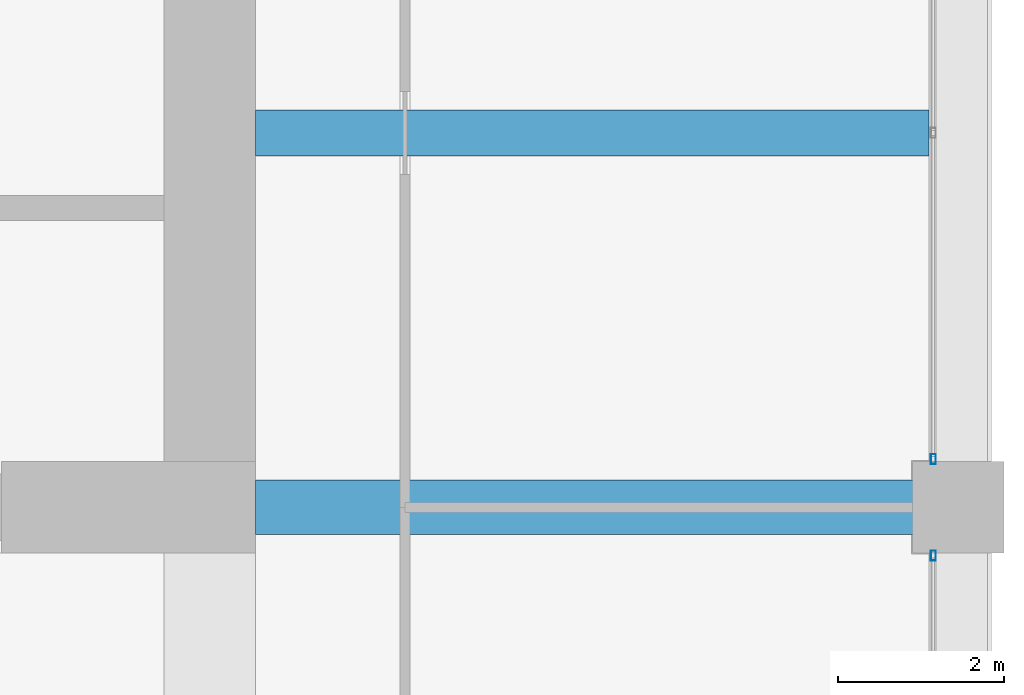
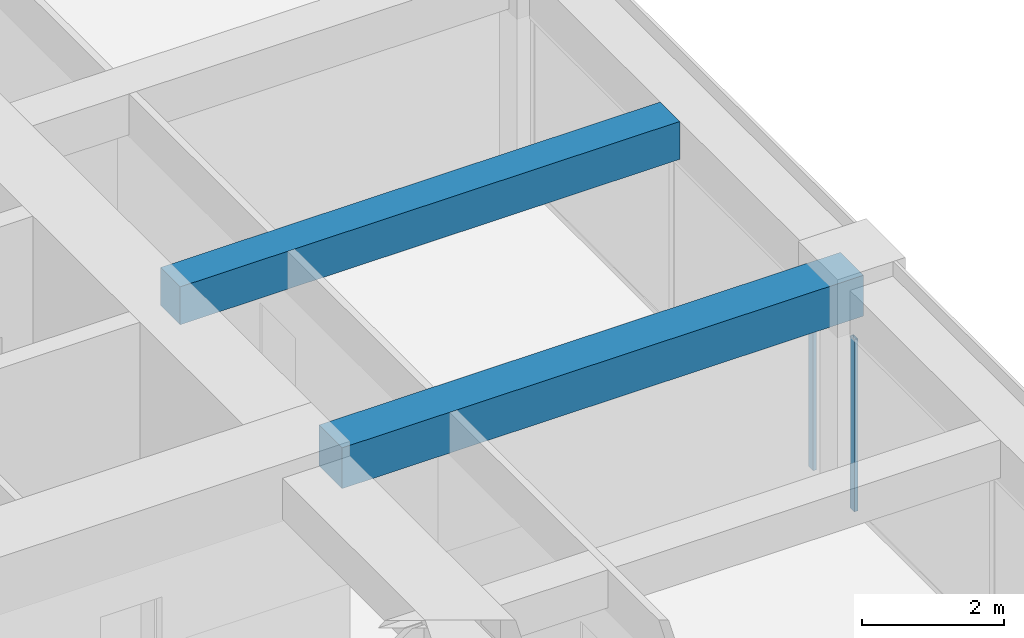
# One storey, part 24 of 44: 2 beams, 2 members, 2 elements without a shape of their own.
"""IFC4 building model written with IfcOpenShell, lengths in metres."""

from ifc_helpers import new_model, si_unit, direction, frame, origin, origin_2d, place, context, subcontext, project, spatial, rectangle, hollow_rectangle, extrude, material, material_profile, profile_set, type_object, element, aggregate, save


model = new_model("IFC4")

# Units and contexts
model_context = context("Model", 3, precision=1e-05, world=origin(), true_north=direction((0.0, 1.0)))
body_context = subcontext(model_context, "Body", "Model", "MODEL_VIEW")
ifc_project = project(units=[si_unit("LENGTHUNIT", "METRE"), si_unit("AREAUNIT", "SQUARE_METRE"), si_unit("VOLUMEUNIT", "CUBIC_METRE"), si_unit("PLANEANGLEUNIT", "RADIAN"), si_unit("MASSUNIT", "GRAM", prefix="KILO")], contexts=[model_context])

# Site, building, storey
site_placement = place(None, origin())
site = spatial("IfcSite", under=ifc_project, at=site_placement, CompositionType="ELEMENT")
building_placement = place(site_placement, origin())
building = spatial("IfcBuilding", under=site, at=building_placement, Name="Zorevar Civic Tower", CompositionType="ELEMENT")
storey_placement = place(building_placement, frame((0.0, 0.0, 275.39990234375)))
storey = spatial("IfcBuildingStorey", under=building, at=storey_placement, Name="L67", CompositionType="ELEMENT", Elevation=275.39990234375)

# Beams
ifc_material_1 = material(Name="Concrete C50/60", Category="concrete")
ifc_material_profile_1 = material_profile(ifc_material_1, rectangle(XDim=0.550048828125, YDim=0.64990234375, at=origin_2d()), Name="RC 550x650")
ifc_profile_set_1 = profile_set([ifc_material_profile_1], Name="Concrete C50/60")
beam_type_1 = type_object("IfcBeamType", Name="Beam RC 550x650", PredefinedType="BEAM", material=ifc_profile_set_1)
beam_1_placement = place(storey_placement, frame((45.550048828125, 22.5, 3.425048828125), z_axis=(1.0, 0.0, 0.0), x_axis=(0.0, 1.0, 0.0)))
element("IfcBeam", 1, at=beam_1_placement, inside=storey, type_object=beam_type_1, Name="Secondary beam L68", PredefinedType="BEAM", context=body_context, shape_type="SweptSolid", body=[
    extrude(rectangle(XDim=0.550048828125, YDim=0.64990234375, at=origin_2d()), origin(), (0.0, 0.0, 1.0), 8.099853515625),
])
ifc_material_2 = material(Name="Concrete C50/60", Category="concrete")
ifc_material_profile_2 = material_profile(ifc_material_2, rectangle(XDim=0.64990234375, YDim=0.699951171875, at=origin_2d()), Name="RC 650x700")
ifc_profile_set_2 = profile_set([ifc_material_profile_2], Name="Concrete C50/60")
beam_type_2 = type_object("IfcBeamType", Name="Beam RC 650x700", PredefinedType="BEAM", material=ifc_profile_set_2)
beam_2_placement = place(storey_placement, frame((45.550048828125, 18.0, 3.400146484375), z_axis=(1.0, 0.0, 0.0), x_axis=(0.0, 1.0, 0.0)))
element("IfcBeam", 2, at=beam_2_placement, inside=storey, type_object=beam_type_2, Name="Girder L68", PredefinedType="BEAM", context=body_context, shape_type="SweptSolid", body=[
    extrude(rectangle(XDim=0.64990234375, YDim=0.699951171875, at=origin_2d()), origin(), (0.0, 0.0, 1.0), 8.449951171875),
])

# Curtain wall, member
ifc_material_3 = material(Name="Dark grey solar-control glass in black aluminium frame", Category="aluminium")
curtain_wall_type = type_object("IfcCurtainWallType", Name="Curtain wall CW5 top zone", PredefinedType="NOTDEFINED", material=ifc_material_3)
curtain_wall_1_placement = place(storey_placement, origin())
curtain_wall_1 = element("IfcCurtainWall", 3, at=curtain_wall_1_placement, inside=storey, type_object=curtain_wall_type, Name="CW5 L67", PredefinedType="NOTDEFINED")
ifc_material_4 = material(Name="Aluminium, black anodised", Category="aluminium")
ifc_material_profile_3 = material_profile(ifc_material_4, hollow_rectangle(XDim=0.06005859375, YDim=0.1201171875, WallThickness=0.0029296875, at=origin_2d()), Name="AL 120x60x3")
ifc_profile_set_3 = profile_set([ifc_material_profile_3], Name="Aluminium, black anodised")
member_type = type_object("IfcMemberType", Name="CW5 mullion AL 120x60x3", PredefinedType="MULLION", material=ifc_profile_set_3)
member_1_placement = place(storey_placement, frame((53.699951171875, 17.419921875, 0.0), z_axis=(0.0, 0.0, 1.0), x_axis=(-1.0, 0.0, 0.0)))
member_1 = element("IfcMember", 4, at=member_1_placement, type_object=member_type, Name="CW5 mullion 3", PredefinedType="MULLION", context=body_context, shape_type="SweptSolid", body=[
    extrude(hollow_rectangle(XDim=0.06005859375, YDim=0.1201171875, WallThickness=0.0029296875, at=origin_2d()), origin(), (0.0, 0.0, 1.0), 2.9501953125),
])
aggregate(curtain_wall_1, [member_1])

curtain_wall_2_placement = place(storey_placement, origin())
curtain_wall_2 = element("IfcCurtainWall", 5, at=curtain_wall_2_placement, inside=storey, type_object=curtain_wall_type, Name="CW5 L67", PredefinedType="NOTDEFINED")
member_2_placement = place(storey_placement, frame((53.699951171875, 18.580078125, 0.0), z_axis=(0.0, 0.0, 1.0), x_axis=(-1.0, 0.0, 0.0)))
member_2 = element("IfcMember", 6, at=member_2_placement, type_object=member_type, Name="CW5 mullion 1", PredefinedType="MULLION", context=body_context, shape_type="SweptSolid", body=[
    extrude(hollow_rectangle(XDim=0.06005859375, YDim=0.1201171875, WallThickness=0.0029296875, at=origin_2d()), origin(), (0.0, 0.0, 1.0), 2.9501953125),
])
aggregate(curtain_wall_2, [member_2])

save(model, "model.ifc")
